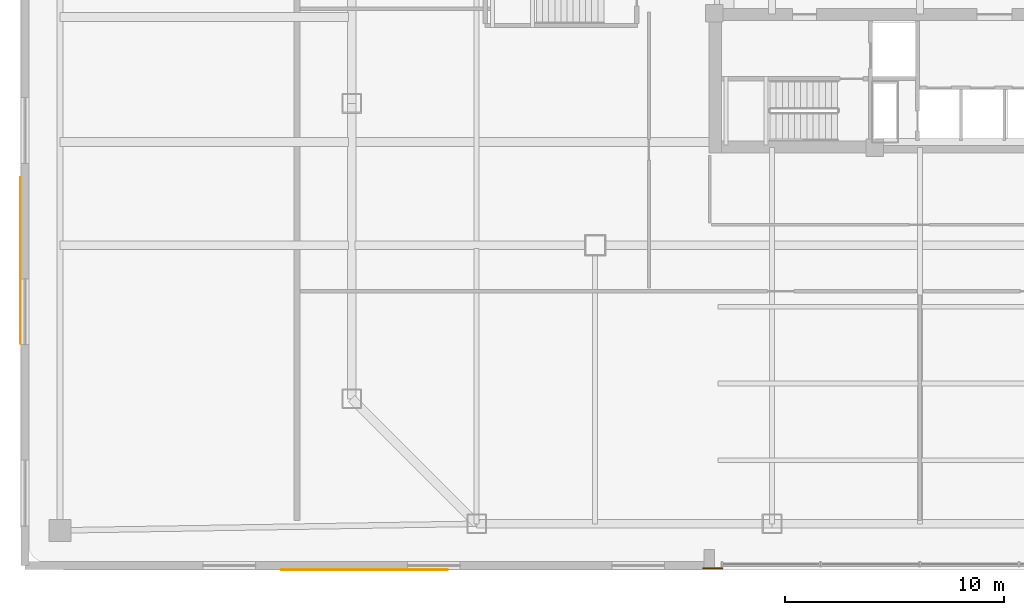
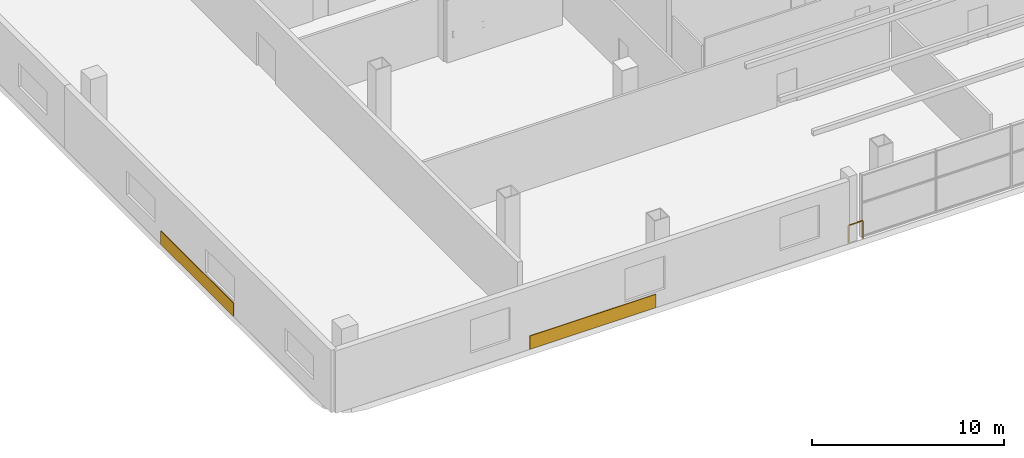
# One storey, part 16 of 21: 2 coverings, 1 railing.
"""IFC4 building model written with IfcOpenShell, lengths in metres."""

from ifc_helpers import new_model, si_unit, direction, frame, origin, origin_2d, place, context, subcontext, project, spatial, rectangle, extrude, material, layer, layer_set, type_object, element, save


model = new_model("IFC4")

# Units and contexts
model_context = context("Model", 3, precision=1e-05, world=origin(), true_north=direction((0.0, 1.0)))
body_context = subcontext(model_context, "Body", "Model", "MODEL_VIEW")
ifc_project = project(units=[si_unit("LENGTHUNIT", "METRE"), si_unit("AREAUNIT", "SQUARE_METRE"), si_unit("VOLUMEUNIT", "CUBIC_METRE"), si_unit("PLANEANGLEUNIT", "RADIAN"), si_unit("MASSUNIT", "GRAM", prefix="KILO")], contexts=[model_context])

# Site, building, storey
site_placement = place(None, origin())
site = spatial("IfcSite", under=ifc_project, at=site_placement, CompositionType="ELEMENT")
building_placement = place(site_placement, origin())
building = spatial("IfcBuilding", under=site, at=building_placement, Name="Qhalaya Broadcast Tower", CompositionType="ELEMENT")
storey_placement = place(building_placement, frame((0.0, 0.0, 21.89990234375)))
storey = spatial("IfcBuildingStorey", under=building, at=storey_placement, Name="L05", CompositionType="ELEMENT", Elevation=21.89990234375)

# Coverings
ifc_material_1 = material(Name="Fired Architectural Terracotta", Category="masonry")
ifc_layer = layer(ifc_material_1, 0.044921875, Name="Fired Architectural Terracotta")
ifc_layer_set = layer_set([ifc_layer], Name="Fired Architectural Terracotta")
covering_type = type_object("IfcCoveringType", Name="Polychrome Terracotta Rainscreen Cladding CLD-01", PredefinedType="CLADDING", material=ifc_layer_set)
for number, where, z_axis, x_axis, name in (
    (1, (-25.320068359375, -28.0, 0.025146484375), (0.0, 0.0, 1.0), (-1.0, 0.0, 0.0), "L05 Terracotta Spandrel Cladding EW-SW"),
    (2, (-41.0, -13.89990234375, 0.025146484375), (0.0, 0.0, 1.0), (0.0, 1.0, 0.0), "L05 Terracotta Spandrel Cladding EW-WS"),
):
    element("IfcCovering", number, at=place(storey_placement, frame(where, z_axis=z_axis, x_axis=x_axis)), inside=storey, type_object=covering_type, Name=name, PredefinedType="CLADDING", context=body_context, shape_type="SweptSolid", body=[
        extrude(rectangle(XDim=7.60009765625, YDim=0.044921875, at=origin_2d()), origin(), (0.0, 0.0, 1.0), 0.85009765625),
    ])

# Railing
ifc_material_2 = material(Name="Powder-Coated Galvanised Steel", Category="steel")
railing_type = type_object("IfcRailingType", Name="Terrace, Sky-Pool & Lookout Glass Balustrade 1150", PredefinedType="BALUSTRADE", material=ifc_material_2)
railing_placement = place(storey_placement, frame((-9.8798828125, -27.919921875, 0.0)))
element("IfcRailing", 3, at=railing_placement, inside=storey, type_object=railing_type, Name="L05 Concourse Portal Shoulder Safety Balustrade PSW", PredefinedType="BALUSTRADE", context=body_context, shape_type="SweptSolid", body=[
    extrude(rectangle(XDim=0.048095703125, YDim=0.048095703125, at=origin_2d()), frame((0.0, 0.0, 1.1259765625), z_axis=(1.0, 0.0, 0.0), x_axis=(0.0, 1.0, 0.0)), (0.0, 0.0, 1.0), 0.8798828125),
    extrude(rectangle(XDim=0.0419921875, YDim=0.0419921875, at=origin_2d()), origin(), (0.0, 0.0, 1.0), 1.099853515625),
    extrude(rectangle(XDim=0.0419921875, YDim=0.0419921875, at=origin_2d()), frame((0.8798828125, 0.0, 0.0)), (0.0, 0.0, 1.0), 1.099853515625),
])

save(model, "model.ifc")
